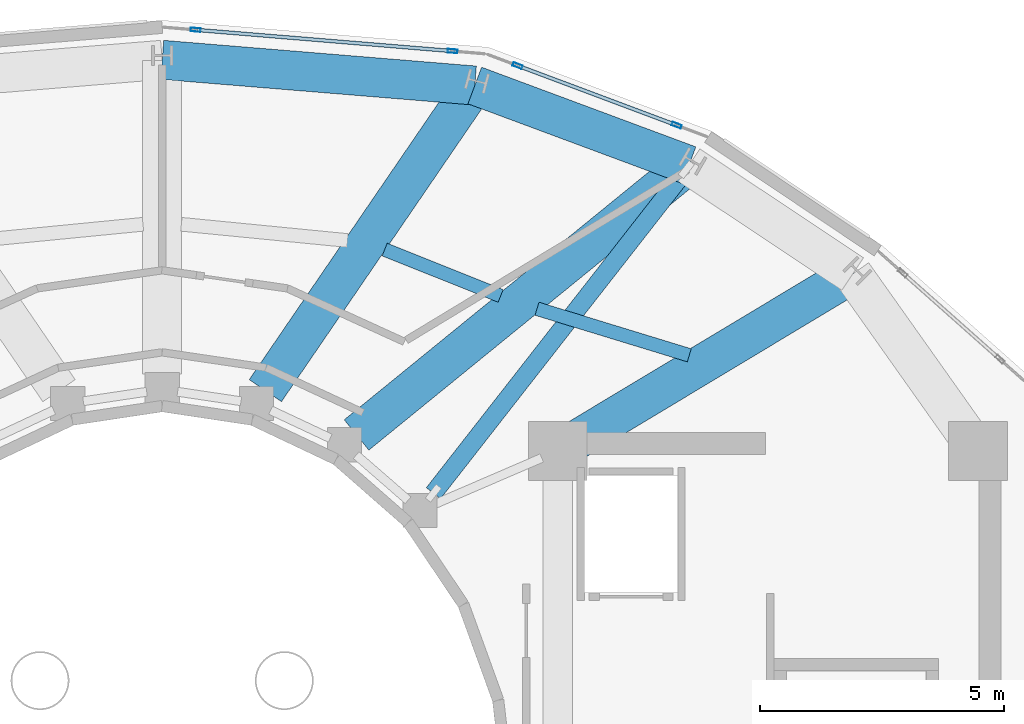
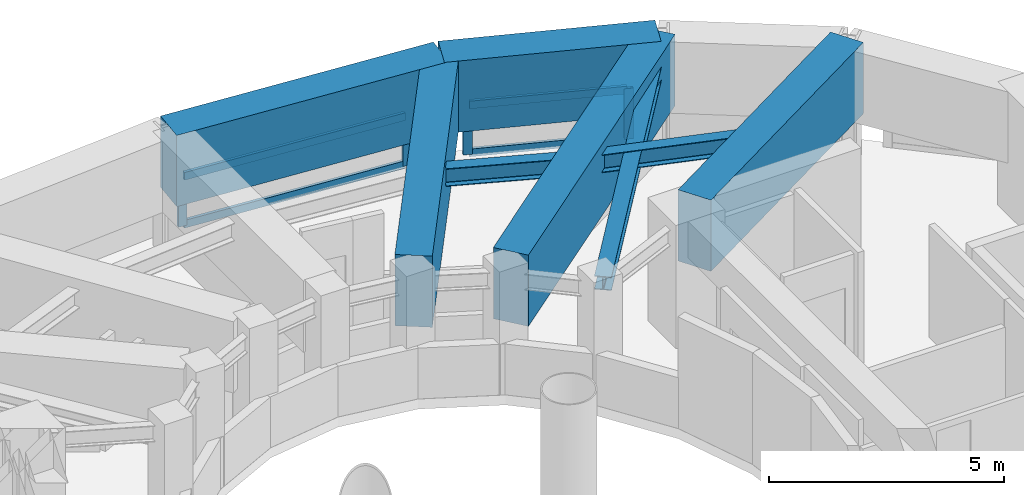
# One storey, part 10 of 18: 9 members, 7 beams, 2 elements without a shape of their own.
"""IFC4 building model written with IfcOpenShell, lengths in metres."""

from ifc_helpers import new_model, si_unit, direction, frame, origin, origin_2d, place, context, subcontext, project, spatial, rectangle, hollow_rectangle, i_section, extrude, material, layer, layer_set, material_profile, profile_set, type_object, element, aggregate, save


model = new_model("IFC4")

# Units and contexts
model_context = context("Model", 3, precision=1e-05, world=origin(), true_north=direction((0.0, 1.0)))
body_context = subcontext(model_context, "Body", "Model", "MODEL_VIEW")
ifc_project = project(units=[si_unit("LENGTHUNIT", "METRE"), si_unit("AREAUNIT", "SQUARE_METRE"), si_unit("VOLUMEUNIT", "CUBIC_METRE"), si_unit("PLANEANGLEUNIT", "RADIAN"), si_unit("MASSUNIT", "GRAM", prefix="KILO")], contexts=[model_context])

# Site, building, storey
site_placement = place(None, origin())
site = spatial("IfcSite", under=ifc_project, at=site_placement, CompositionType="ELEMENT")
building_placement = place(site_placement, origin())
building = spatial("IfcBuilding", under=site, at=building_placement, Name="Solvane Sanctuary Tower", CompositionType="ELEMENT")
storey_placement = place(building_placement, frame((0.0, 0.0, 266.800048828125)))
storey = spatial("IfcBuildingStorey", under=building, at=storey_placement, Name="L81", CompositionType="ELEMENT", Elevation=266.800048828125)

# Beams
ifc_material_1 = material(Name="Steel ASTM A992 Grade 50", Category="steel")
ifc_material_profile_1 = material_profile(ifc_material_1, i_section(OverallWidth=0.280029296875, OverallDepth=0.462890625, WebThickness=0.0107421875, FlangeThickness=0.017333984375, FilletRadius=0.013916015625, at=origin_2d()), Name="W18X76")
ifc_profile_set_1 = profile_set([ifc_material_profile_1], Name="Steel ASTM A992 Grade 50")
beam_type_1 = type_object("IfcBeamType", Name="Beam B-SEC-JOIST W18X76", PredefinedType="JOIST", material=ifc_profile_set_1)
beam_1_placement = place(storey_placement, frame((36.553955078125, 34.323974609375, 2.70654296875), z_axis=(0.928509610191, -0.37130836751, 0.0), x_axis=(0.37130836751, 0.928509610191, 0.0)))
element("IfcBeam", 1, at=beam_1_placement, inside=storey, type_object=beam_type_1, Name="L81 Secondary Circumferential Joist 03-02", PredefinedType="JOIST", context=body_context, shape_type="SweptSolid", body=[
    extrude(i_section(OverallWidth=0.280029296875, OverallDepth=0.462890625, WebThickness=0.0107421875, FlangeThickness=0.017333984375, FilletRadius=0.013916015625, at=origin_2d()), origin(), (0.0, 0.0, 1.0), 2.55712890625),
])
beam_2_placement = place(storey_placement, frame((39.6728515625, 33.1123046875, 2.70654296875), z_axis=(0.956276519854, -0.292464044928, 0.0), x_axis=(0.292464044928, 0.956276519854, 0.0)))
element("IfcBeam", 2, at=beam_2_placement, inside=storey, type_object=beam_type_1, Name="L81 Secondary Circumferential Joist 02-01", PredefinedType="JOIST", context=body_context, shape_type="SweptSolid", body=[
    extrude(i_section(OverallWidth=0.280029296875, OverallDepth=0.462890625, WebThickness=0.0107421875, FlangeThickness=0.017333984375, FilletRadius=0.013916015625, at=origin_2d()), origin(), (0.0, 0.0, 1.0), 3.259033203125),
])
ifc_material_2 = material(Name="Concrete C70/85", Category="concrete")
ifc_material_profile_2 = material_profile(ifc_material_2, rectangle(XDim=0.800048828125, YDim=1.85009765625, at=origin_2d()), Name="RC800X1850")
ifc_profile_set_2 = profile_set([ifc_material_profile_2], Name="Concrete C70/85")
beam_type_2 = type_object("IfcBeamType", Name="Beam B-XFER-BLK RC800X1850", PredefinedType="BEAM", material=ifc_profile_set_2)
beam_3_placement = place(storey_placement, frame((40.408447265625, 30.385498046875, 2.27490234375), z_axis=(0.857058376233, 0.515219312263, 0.0), x_axis=(-0.515219312263, 0.857058376233, 0.0)))
element("IfcBeam", 3, at=beam_3_placement, inside=storey, type_object=beam_type_2, Name="L81 Block-Shift Radial Transfer Girder 01A", PredefinedType="BEAM", context=body_context, shape_type="SweptSolid", body=[
    extrude(rectangle(XDim=0.800048828125, YDim=1.85009765625, at=origin_2d()), origin(), (0.0, 0.0, 1.0), 6.697021484375),
])
beam_4_placement = place(storey_placement, frame((35.978271484375, 30.528564453125, 2.27490234375), z_axis=(0.775601292697, 0.631223125976, 0.0), x_axis=(-0.631223125976, 0.775601292697, 0.0)))
element("IfcBeam", 4, at=beam_4_placement, inside=storey, type_object=beam_type_2, Name="L81 Block-Shift Radial Transfer Girder 02A", PredefinedType="BEAM", context=body_context, shape_type="SweptSolid", body=[
    extrude(rectangle(XDim=0.800048828125, YDim=1.85009765625, at=origin_2d()), origin(), (0.0, 0.0, 1.0), 8.772705078125),
])
beam_5_placement = place(storey_placement, frame((34.111572265625, 31.435791015625, 2.27490234375), z_axis=(0.56454754389, 0.825400551664, 0.0), x_axis=(-0.825400551664, 0.56454754389, 0.0)))
element("IfcBeam", 5, at=beam_5_placement, inside=storey, type_object=beam_type_2, Name="L81 Block-Shift Radial Transfer Girder 03A", PredefinedType="BEAM", context=body_context, shape_type="SweptSolid", body=[
    extrude(rectangle(XDim=0.800048828125, YDim=1.85009765625, at=origin_2d()), origin(), (0.0, 0.0, 1.0), 7.573486328125),
])
beam_6_placement = place(storey_placement, frame((32.0, 38.20703125, 2.27490234375), z_axis=(0.996645989567, -0.08183380402, 0.0), x_axis=(0.08183380402, 0.996645989567, 0.0)))
element("IfcBeam", 6, at=beam_6_placement, inside=storey, type_object=beam_type_2, Name="L81 Perimeter Step Transfer Ring NTC04-NTC03", PredefinedType="BEAM", context=body_context, shape_type="SweptSolid", body=[
    extrude(rectangle(XDim=0.800048828125, YDim=1.85009765625, at=origin_2d()), origin(), (0.0, 0.0, 1.0), 6.420166015625),
])
beam_7_placement = place(storey_placement, frame((38.398681640625, 37.681640625, 2.27490234375), z_axis=(0.937305510039, -0.348508795944, 0.0), x_axis=(0.348508795944, 0.937305510039, 0.0)))
element("IfcBeam", 7, at=beam_7_placement, inside=storey, type_object=beam_type_2, Name="L81 Perimeter Step Transfer Ring NTC03-NTC02", PredefinedType="BEAM", context=body_context, shape_type="SweptSolid", body=[
    extrude(rectangle(XDim=0.800048828125, YDim=1.85009765625, at=origin_2d()), origin(), (0.0, 0.0, 1.0), 4.678955078125),
])

# Member
ifc_material_profile_3 = material_profile(ifc_material_1, i_section(OverallWidth=0.368896484375, OverallDepth=0.35595703125, WebThickness=0.01123046875, FlangeThickness=0.01806640625, FilletRadius=0.02490234375, at=origin_2d()), Name="W14X90")
ifc_profile_set_3 = profile_set([ifc_material_profile_3], Name="Steel ASTM A992 Grade 50")
member_type_1 = type_object("IfcMemberType", Name="Member M-CROWN-TIE W14X90", PredefinedType="CHORD", material=ifc_profile_set_3)
member_1_placement = place(storey_placement, frame((37.5546875, 29.33984375, 2.54052734375), z_axis=(0.615559369863, 0.787750922029, 0.023133244814), x_axis=(-0.787961787944, 0.615724143379, 0.0)))
element("IfcMember", 8, at=member_1_placement, inside=storey, type_object=member_type_1, Name="L81 Crown Bracing Tie 01", PredefinedType="CHORD", context=body_context, shape_type="SweptSolid", body=[
    extrude(i_section(OverallWidth=0.368896484375, OverallDepth=0.35595703125, WebThickness=0.01123046875, FlangeThickness=0.01806640625, FilletRadius=0.02490234375, at=origin_2d()), origin(), (0.0, 0.0, 1.0), 8.400634765625),
])

# Curtain wall, members
ifc_material_3 = material(Name="Anodised Aluminium 6063-T6", Category="aluminium")
ifc_layer = layer(ifc_material_3, 0.219970703125, Name="Anodised Aluminium 6063-T6")
ifc_layer_set = layer_set([ifc_layer], Name="Anodised Aluminium 6063-T6")
curtain_wall_type = type_object("IfcCurtainWallType", Name="Curtain Wall CW-CROWN", PredefinedType="NOTDEFINED", material=ifc_layer_set)
curtain_wall_1_placement = place(storey_placement, origin())
curtain_wall_1 = element("IfcCurtainWall", 9, at=curtain_wall_1_placement, inside=storey, type_object=curtain_wall_type, Name="L81 Crown Fritted Lantern Curtain Wall 04", PredefinedType="NOTDEFINED")
ifc_material_profile_4 = material_profile(ifc_material_3, hollow_rectangle(XDim=0.074951171875, YDim=0.199951171875, WallThickness=0.00390625, at=origin_2d()), Name="ALU200X75X4")
ifc_profile_set_4 = profile_set([ifc_material_profile_4], Name="Anodised Aluminium 6063-T6")
member_type_2 = type_object("IfcMemberType", Name="Member M-CW-MUL-1 ALU200X75X4", PredefinedType="MULLION", material=ifc_profile_set_4)
member_2_placement = place(storey_placement, frame((42.53125, 36.8681640625, 0.0), z_axis=(0.0, 0.0, 1.0), x_axis=(-0.350836569959, -0.93643670431, 0.0)))
member_2 = element("IfcMember", 10, at=member_2_placement, type_object=member_type_2, Name="CW-CROWN mullion 1", PredefinedType="MULLION", context=body_context, shape_type="SweptSolid", body=[
    extrude(hollow_rectangle(XDim=0.074951171875, YDim=0.199951171875, WallThickness=0.00390625, at=origin_2d()), origin(), (0.0, 0.0, 1.0), 1.320068359375),
])
member_3_placement = place(storey_placement, frame((39.2744140625, 38.088134765625, 0.0), z_axis=(0.0, 0.0, 1.0), x_axis=(-0.350836569959, -0.93643670431, 0.0)))
member_3 = element("IfcMember", 11, at=member_3_placement, type_object=member_type_2, Name="CW-CROWN mullion 2", PredefinedType="MULLION", context=body_context, shape_type="SweptSolid", body=[
    extrude(hollow_rectangle(XDim=0.074951171875, YDim=0.199951171875, WallThickness=0.00390625, at=origin_2d()), origin(), (0.0, 0.0, 1.0), 1.320068359375),
])

curtain_wall_2_placement = place(storey_placement, origin())
curtain_wall_2 = element("IfcCurtainWall", 12, at=curtain_wall_2_placement, inside=storey, type_object=curtain_wall_type, Name="L81 Crown Fritted Lantern Curtain Wall 05", PredefinedType="NOTDEFINED")
member_4_placement = place(storey_placement, frame((37.9453125, 38.385986328125, 0.0), z_axis=(0.0, 0.0, 1.0), x_axis=(-0.082454909667, -0.99659479623, 0.0)))
member_4 = element("IfcMember", 13, at=member_4_placement, type_object=member_type_2, Name="CW-CROWN mullion 1", PredefinedType="MULLION", context=body_context, shape_type="SweptSolid", body=[
    extrude(hollow_rectangle(XDim=0.074951171875, YDim=0.199951171875, WallThickness=0.00390625, at=origin_2d()), origin(), (0.0, 0.0, 1.0), 1.320068359375),
])
member_5_placement = place(storey_placement, frame((32.68505859375, 38.8212890625, 0.0), z_axis=(0.0, 0.0, 1.0), x_axis=(-0.082454909667, -0.99659479623, 0.0)))
member_5 = element("IfcMember", 14, at=member_5_placement, type_object=member_type_2, Name="CW-CROWN mullion 2", PredefinedType="MULLION", context=body_context, shape_type="SweptSolid", body=[
    extrude(hollow_rectangle(XDim=0.074951171875, YDim=0.199951171875, WallThickness=0.00390625, at=origin_2d()), origin(), (0.0, 0.0, 1.0), 1.320068359375),
])

# Member
ifc_material_profile_5 = material_profile(ifc_material_3, hollow_rectangle(XDim=0.074951171875, YDim=0.199951171875, WallThickness=0.00390625, at=origin_2d()), Name="ALU200X75X4")
ifc_profile_set_5 = profile_set([ifc_material_profile_5], Name="Anodised Aluminium 6063-T6")
member_type_3 = type_object("IfcMemberType", Name="Member M-CW-TRN-2 ALU200X75X4", PredefinedType="USERDEFINED", material=ifc_profile_set_5)
member_6_placement = place(storey_placement, frame((42.49609375, 36.881103515625, 0.037353515625), z_axis=(-0.936411707224, 0.35090328379, 0.0), x_axis=(-0.35090328379, -0.936411707224, 0.0)))
member_6 = element("IfcMember", 15, at=member_6_placement, type_object=member_type_3, Name="CW-CROWN transom 1.1", ObjectType="TRANSOM", PredefinedType="USERDEFINED", context=body_context, shape_type="SweptSolid", body=[
    extrude(hollow_rectangle(XDim=0.074951171875, YDim=0.199951171875, WallThickness=0.00390625, at=origin_2d()), origin(), (0.0, 0.0, 1.0), 3.40283203125),
])

member_7_placement = place(storey_placement, frame((42.49609375, 36.881103515625, 1.282470703125), z_axis=(-0.936411707224, 0.35090328379, 0.0), x_axis=(-0.35090328379, -0.936411707224, 0.0)))
member_7 = element("IfcMember", 16, at=member_7_placement, type_object=member_type_3, Name="CW-CROWN transom 1.2", ObjectType="TRANSOM", PredefinedType="USERDEFINED", context=body_context, shape_type="SweptSolid", body=[
    extrude(hollow_rectangle(XDim=0.074951171875, YDim=0.199951171875, WallThickness=0.00390625, at=origin_2d()), origin(), (0.0, 0.0, 1.0), 3.40283203125),
])

aggregate(curtain_wall_1, [member_2, member_3, member_6, member_7])

member_8_placement = place(storey_placement, frame((37.907958984375, 38.38916015625, 0.037353515625), z_axis=(-0.996595735446, 0.082443557003, 0.0), x_axis=(-0.082443557003, -0.996595735446, 0.0)))
member_8 = element("IfcMember", 17, at=member_8_placement, type_object=member_type_3, Name="CW-CROWN transom 1.1", ObjectType="TRANSOM", PredefinedType="USERDEFINED", context=body_context, shape_type="SweptSolid", body=[
    extrude(hollow_rectangle(XDim=0.074951171875, YDim=0.199951171875, WallThickness=0.00390625, at=origin_2d()), origin(), (0.0, 0.0, 1.0), 5.203125),
])

member_9_placement = place(storey_placement, frame((37.907958984375, 38.38916015625, 1.282470703125), z_axis=(-0.996595735446, 0.082443557003, 0.0), x_axis=(-0.082443557003, -0.996595735446, 0.0)))
member_9 = element("IfcMember", 18, at=member_9_placement, type_object=member_type_3, Name="CW-CROWN transom 1.2", ObjectType="TRANSOM", PredefinedType="USERDEFINED", context=body_context, shape_type="SweptSolid", body=[
    extrude(hollow_rectangle(XDim=0.074951171875, YDim=0.199951171875, WallThickness=0.00390625, at=origin_2d()), origin(), (0.0, 0.0, 1.0), 5.203125),
])

aggregate(curtain_wall_2, [member_4, member_5, member_8, member_9])

save(model, "model.ifc")
